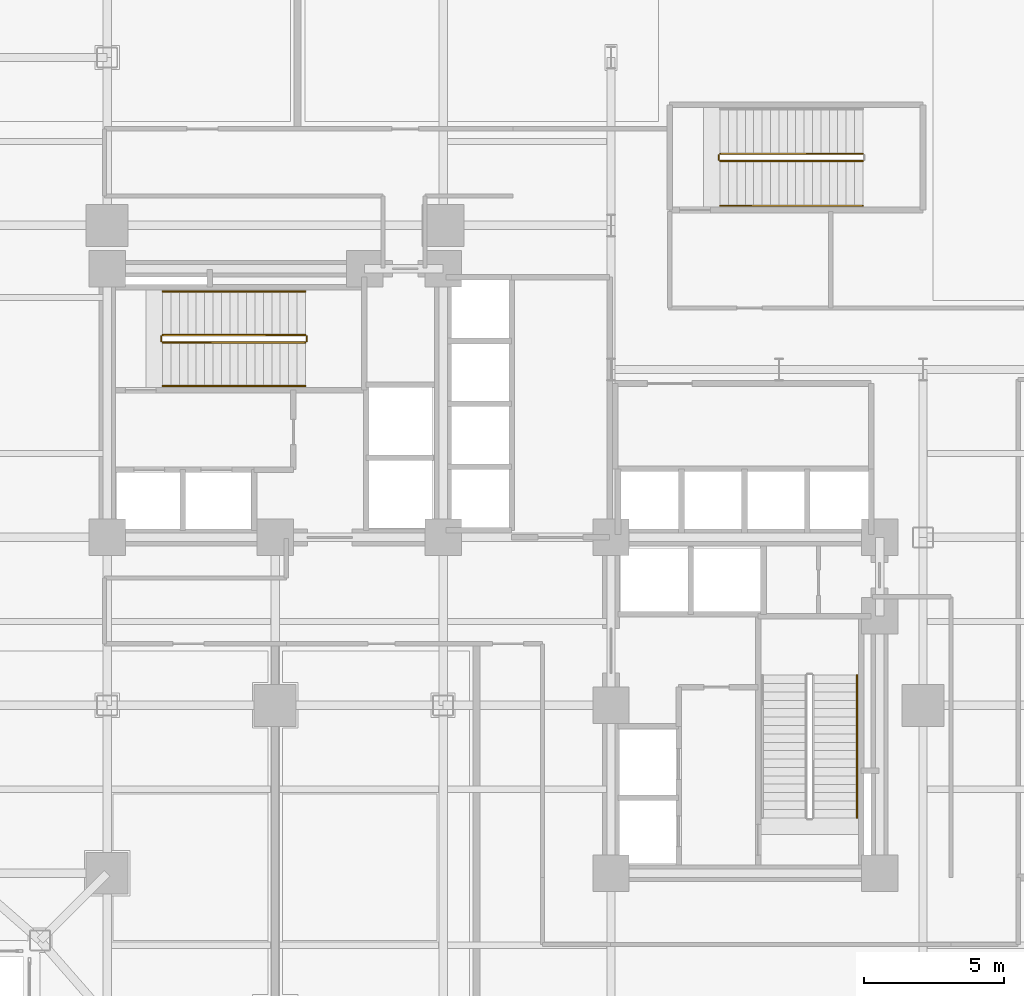
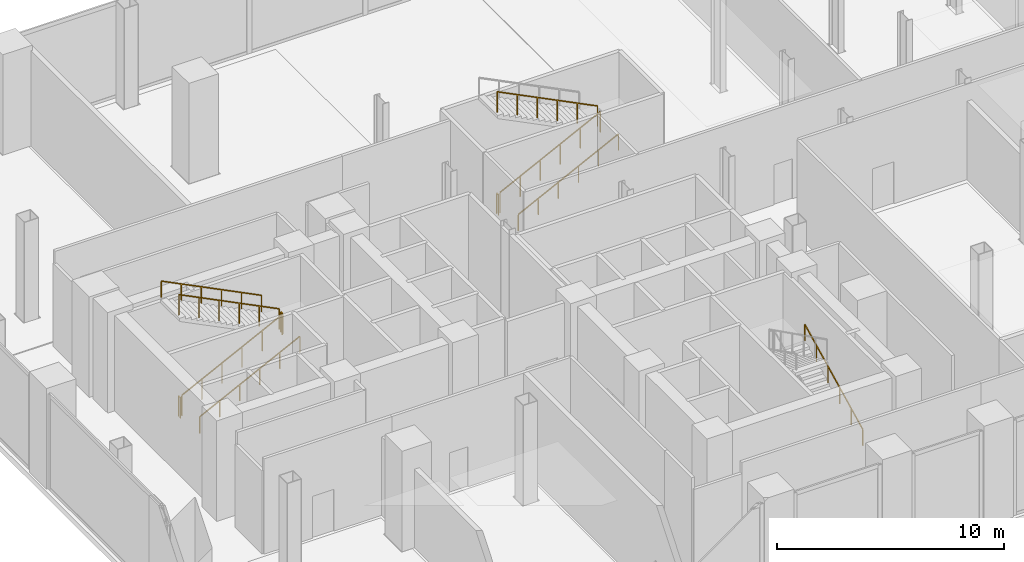
# One storey, part 25 of 27: 11 railings.
"""IFC4 building model written with IfcOpenShell, lengths in metres."""

from ifc_helpers import new_model, si_unit, direction, frame, origin, origin_2d, place, context, subcontext, project, spatial, rectangle, extrude, material, type_object, element, save


model = new_model("IFC4")

# Units and contexts
model_context = context("Model", 3, precision=1e-05, world=origin(), true_north=direction((0.0, 1.0)))
body_context = subcontext(model_context, "Body", "Model", "MODEL_VIEW")
ifc_project = project(units=[si_unit("LENGTHUNIT", "METRE"), si_unit("AREAUNIT", "SQUARE_METRE"), si_unit("VOLUMEUNIT", "CUBIC_METRE"), si_unit("PLANEANGLEUNIT", "RADIAN"), si_unit("MASSUNIT", "GRAM", prefix="KILO"), si_unit("THERMODYNAMICTEMPERATUREUNIT", "KELVIN"), si_unit("POWERUNIT", "WATT")], contexts=[model_context])

# Site, building, storey
site_placement = place(None, origin())
site = spatial("IfcSite", under=ifc_project, at=site_placement, CompositionType="ELEMENT")
building_placement = place(site_placement, origin())
building = spatial("IfcBuilding", under=site, at=building_placement, Name="Svarakhadi Broadcast Tower", CompositionType="ELEMENT")
storey_placement = place(building_placement, frame((0.0, 0.0, 5.699951171875)))
storey = spatial("IfcBuildingStorey", under=building, at=storey_placement, Name="L01", CompositionType="ELEMENT", Elevation=5.699951171875)

# Railings
ifc_material = material(Name="Anodised Bronze Aluminium AA 6063-T6", Category="aluminium")
railing_type_1 = type_object("IfcRailingType", Name="Guard_Stair_GR01", PredefinedType="GUARDRAIL", material=ifc_material)
railing_1_placement = place(storey_placement, frame((7.97998046875, 24.969970703125, 0.150146484375)))
element("IfcRailing", 1, at=railing_1_placement, inside=storey, type_object=railing_type_1, Name="L01 ST-01 stair guard 1", PredefinedType="GUARDRAIL", context=body_context, shape_type="SweptSolid", body=[
    extrude(rectangle(XDim=0.048095703125, YDim=0.048095703125, at=origin_2d()), frame((0.0, 0.0, 1.09619140625), z_axis=(0.89444431709, 0.0, 0.44717934168), x_axis=(0.0, 1.0, 0.0)), (0.0, 0.0, 1.0), 5.701904296875),
    extrude(rectangle(XDim=0.0419921875, YDim=0.0419921875, at=origin_2d()), origin(), (0.0, 0.0, 1.0), 1.072021484375),
    extrude(rectangle(XDim=0.0419921875, YDim=0.0419921875, at=origin_2d()), frame((1.02001953125, 0.0, 0.510009765625)), (0.0, 0.0, 1.0), 1.072021484375),
    extrude(rectangle(XDim=0.0419921875, YDim=0.0419921875, at=origin_2d()), frame((2.0400390625, 0.0, 1.02001953125)), (0.0, 0.0, 1.0), 1.072021484375),
    extrude(rectangle(XDim=0.0419921875, YDim=0.0419921875, at=origin_2d()), frame((3.06005859375, 0.0, 1.52978515625)), (0.0, 0.0, 1.0), 1.072021484375),
    extrude(rectangle(XDim=0.0419921875, YDim=0.0419921875, at=origin_2d()), frame((4.080078125, 0.0, 2.039794921875)), (0.0, 0.0, 1.0), 1.072021484375),
    extrude(rectangle(XDim=0.0419921875, YDim=0.0419921875, at=origin_2d()), frame((5.10009765625, 0.0, 2.5498046875)), (0.0, 0.0, 1.0), 1.072021484375),
])
railing_2_placement = place(storey_placement, frame((13.1298828125, 25.02001953125, 2.699951171875)))
element("IfcRailing", 2, at=railing_2_placement, inside=storey, type_object=railing_type_1, Name="L01 ST-01 stair guard 2", PredefinedType="GUARDRAIL", context=body_context, shape_type="SweptSolid", body=[
    extrude(rectangle(XDim=0.048095703125, YDim=0.048095703125, at=origin_2d()), frame((0.0, 0.0, 1.09619140625), z_axis=(0.0, 1.0, 0.0), x_axis=(-1.0, 0.0, 0.0)), (0.0, 0.0, 1.0), 0.159912109375),
    extrude(rectangle(XDim=0.0419921875, YDim=0.0419921875, at=origin_2d()), origin(), (0.0, 0.0, 1.0), 1.072021484375),
    extrude(rectangle(XDim=0.0419921875, YDim=0.0419921875, at=origin_2d()), frame((0.0, 0.159912109375, 0.0)), (0.0, 0.0, 1.0), 1.072021484375),
])
railing_3_placement = place(storey_placement, frame((13.080078125, 25.22998046875, 2.85009765625)))
element("IfcRailing", 3, at=railing_3_placement, inside=storey, type_object=railing_type_1, Name="L01 ST-01 stair guard 3", PredefinedType="GUARDRAIL", context=body_context, shape_type="SweptSolid", body=[
    extrude(rectangle(XDim=0.048095703125, YDim=0.048095703125, at=origin_2d()), frame((0.0, 0.0, 1.09619140625), z_axis=(-0.894427191, 0.0, 0.4472135955), x_axis=(0.0, -1.0, 0.0)), (0.0, 0.0, 1.0), 5.7021484375),
    extrude(rectangle(XDim=0.0419921875, YDim=0.0419921875, at=origin_2d()), origin(), (0.0, 0.0, 1.0), 1.072021484375),
    extrude(rectangle(XDim=0.0419921875, YDim=0.0419921875, at=origin_2d()), frame((-1.02001953125, 0.0, 0.510009765625)), (0.0, 0.0, 1.0), 1.072021484375),
    extrude(rectangle(XDim=0.0419921875, YDim=0.0419921875, at=origin_2d()), frame((-2.0400390625, 0.0, 1.02001953125)), (0.0, 0.0, 1.0), 1.072021484375),
    extrude(rectangle(XDim=0.0419921875, YDim=0.0419921875, at=origin_2d()), frame((-3.06005859375, 0.0, 1.530029296875)), (0.0, 0.0, 1.0), 1.072021484375),
    extrude(rectangle(XDim=0.0419921875, YDim=0.0419921875, at=origin_2d()), frame((-4.080078125, 0.0, 2.0400390625)), (0.0, 0.0, 1.0), 1.072021484375),
    extrude(rectangle(XDim=0.0419921875, YDim=0.0419921875, at=origin_2d()), frame((-5.10009765625, 0.0, 2.550048828125)), (0.0, 0.0, 1.0), 1.072021484375),
])
railing_4_placement = place(storey_placement, frame((7.929931640625, 25.02001953125, 0.0)))
element("IfcRailing", 4, at=railing_4_placement, inside=storey, type_object=railing_type_1, Name="L01 ST-01 stair guard 4", PredefinedType="GUARDRAIL", context=body_context, shape_type="SweptSolid", body=[
    extrude(rectangle(XDim=0.048095703125, YDim=0.048095703125, at=origin_2d()), frame((0.0, 0.0, 1.09619140625), z_axis=(0.0, 1.0, 0.0), x_axis=(-1.0, 0.0, 0.0)), (0.0, 0.0, 1.0), 0.159912109375),
    extrude(rectangle(XDim=0.0419921875, YDim=0.0419921875, at=origin_2d()), origin(), (0.0, 0.0, 1.0), 1.072021484375),
    extrude(rectangle(XDim=0.0419921875, YDim=0.0419921875, at=origin_2d()), frame((0.0, 0.159912109375, 0.0)), (0.0, 0.0, 1.0), 1.072021484375),
])
railing_5_placement = place(storey_placement, frame((27.89990234375, 31.449951171875, 0.150146484375)))
element("IfcRailing", 5, at=railing_5_placement, inside=storey, type_object=railing_type_1, Name="L01 ST-03 stair guard 1", PredefinedType="GUARDRAIL", context=body_context, shape_type="SweptSolid", body=[
    extrude(rectangle(XDim=0.048095703125, YDim=0.048095703125, at=origin_2d()), frame((0.0, 0.0, 1.09619140625), z_axis=(0.89444431709, 0.0, 0.44717934168), x_axis=(0.0, 1.0, 0.0)), (0.0, 0.0, 1.0), 5.701904296875),
    extrude(rectangle(XDim=0.0419921875, YDim=0.0419921875, at=origin_2d()), origin(), (0.0, 0.0, 1.0), 1.072021484375),
    extrude(rectangle(XDim=0.0419921875, YDim=0.0419921875, at=origin_2d()), frame((1.02001953125, 0.0, 0.510009765625)), (0.0, 0.0, 1.0), 1.072021484375),
    extrude(rectangle(XDim=0.0419921875, YDim=0.0419921875, at=origin_2d()), frame((2.0400390625, 0.0, 1.02001953125)), (0.0, 0.0, 1.0), 1.072021484375),
    extrude(rectangle(XDim=0.0419921875, YDim=0.0419921875, at=origin_2d()), frame((3.06005859375, 0.0, 1.52978515625)), (0.0, 0.0, 1.0), 1.072021484375),
    extrude(rectangle(XDim=0.0419921875, YDim=0.0419921875, at=origin_2d()), frame((4.080078125, 0.0, 2.039794921875)), (0.0, 0.0, 1.0), 1.072021484375),
    extrude(rectangle(XDim=0.0419921875, YDim=0.0419921875, at=origin_2d()), frame((5.10009765625, 0.0, 2.5498046875)), (0.0, 0.0, 1.0), 1.072021484375),
])
railing_6_placement = place(storey_placement, frame((33.0, 31.7099609375, 2.85009765625)))
element("IfcRailing", 6, at=railing_6_placement, inside=storey, type_object=railing_type_1, Name="L01 ST-03 stair guard 3", PredefinedType="GUARDRAIL", context=body_context, shape_type="SweptSolid", body=[
    extrude(rectangle(XDim=0.048095703125, YDim=0.048095703125, at=origin_2d()), frame((0.0, 0.0, 1.09619140625), z_axis=(-0.894427191, 0.0, 0.4472135955), x_axis=(0.0, -1.0, 0.0)), (0.0, 0.0, 1.0), 5.7021484375),
    extrude(rectangle(XDim=0.0419921875, YDim=0.0419921875, at=origin_2d()), origin(), (0.0, 0.0, 1.0), 1.072021484375),
    extrude(rectangle(XDim=0.0419921875, YDim=0.0419921875, at=origin_2d()), frame((-1.02001953125, 0.0, 0.510009765625)), (0.0, 0.0, 1.0), 1.072021484375),
    extrude(rectangle(XDim=0.0419921875, YDim=0.0419921875, at=origin_2d()), frame((-2.0400390625, 0.0, 1.02001953125)), (0.0, 0.0, 1.0), 1.072021484375),
    extrude(rectangle(XDim=0.0419921875, YDim=0.0419921875, at=origin_2d()), frame((-3.06005859375, 0.0, 1.530029296875)), (0.0, 0.0, 1.0), 1.072021484375),
    extrude(rectangle(XDim=0.0419921875, YDim=0.0419921875, at=origin_2d()), frame((-4.080078125, 0.0, 2.0400390625)), (0.0, 0.0, 1.0), 1.072021484375),
    extrude(rectangle(XDim=0.0419921875, YDim=0.0419921875, at=origin_2d()), frame((-5.10009765625, 0.0, 2.550048828125)), (0.0, 0.0, 1.0), 1.072021484375),
])
railing_7_placement = place(storey_placement, frame((27.85009765625, 31.5, 0.0)))
element("IfcRailing", 7, at=railing_7_placement, inside=storey, type_object=railing_type_1, Name="L01 ST-03 stair guard 4", PredefinedType="GUARDRAIL", context=body_context, shape_type="SweptSolid", body=[
    extrude(rectangle(XDim=0.048095703125, YDim=0.048095703125, at=origin_2d()), frame((0.0, 0.0, 1.09619140625), z_axis=(0.0, 1.0, 0.0), x_axis=(-1.0, 0.0, 0.0)), (0.0, 0.0, 1.0), 0.159912109375),
    extrude(rectangle(XDim=0.0419921875, YDim=0.0419921875, at=origin_2d()), origin(), (0.0, 0.0, 1.0), 1.072021484375),
    extrude(rectangle(XDim=0.0419921875, YDim=0.0419921875, at=origin_2d()), frame((0.0, 0.159912109375, 0.0)), (0.0, 0.0, 1.0), 1.072021484375),
])
railing_type_2 = type_object("IfcRailingType", Name="Handrail_Stair_HR01", PredefinedType="HANDRAIL", material=ifc_material)
railing_8_placement = place(storey_placement, frame((7.97998046875, 23.409912109375, 0.150146484375)))
element("IfcRailing", 8, at=railing_8_placement, inside=storey, type_object=railing_type_2, Name="L01 ST-01 stair handrail 1", PredefinedType="HANDRAIL", context=body_context, shape_type="SweptSolid", body=[
    extrude(rectangle(XDim=0.048095703125, YDim=0.048095703125, at=origin_2d()), frame((0.0, 0.0, 0.8759765625), z_axis=(0.89444431709, 0.0, 0.44717934168), x_axis=(0.0, 1.0, 0.0)), (0.0, 0.0, 1.0), 5.701904296875),
    extrude(rectangle(XDim=0.0419921875, YDim=0.0419921875, at=origin_2d()), origin(), (0.0, 0.0, 1.0), 0.851806640625),
    extrude(rectangle(XDim=0.0419921875, YDim=0.0419921875, at=origin_2d()), frame((1.02001953125, 0.0, 0.510009765625)), (0.0, 0.0, 1.0), 0.851806640625),
    extrude(rectangle(XDim=0.0419921875, YDim=0.0419921875, at=origin_2d()), frame((2.0400390625, 0.0, 1.02001953125)), (0.0, 0.0, 1.0), 0.851806640625),
    extrude(rectangle(XDim=0.0419921875, YDim=0.0419921875, at=origin_2d()), frame((3.06005859375, 0.0, 1.52978515625)), (0.0, 0.0, 1.0), 0.851806640625),
    extrude(rectangle(XDim=0.0419921875, YDim=0.0419921875, at=origin_2d()), frame((4.080078125, 0.0, 2.039794921875)), (0.0, 0.0, 1.0), 0.851806640625),
    extrude(rectangle(XDim=0.0419921875, YDim=0.0419921875, at=origin_2d()), frame((5.10009765625, 0.0, 2.5498046875)), (0.0, 0.0, 1.0), 0.851806640625),
])
railing_9_placement = place(storey_placement, frame((13.080078125, 26.7900390625, 2.85009765625)))
element("IfcRailing", 9, at=railing_9_placement, inside=storey, type_object=railing_type_2, Name="L01 ST-01 stair handrail 2", PredefinedType="HANDRAIL", context=body_context, shape_type="SweptSolid", body=[
    extrude(rectangle(XDim=0.048095703125, YDim=0.048095703125, at=origin_2d()), frame((0.0, 0.0, 0.8759765625), z_axis=(-0.894427191, 0.0, 0.4472135955), x_axis=(0.0, -1.0, 0.0)), (0.0, 0.0, 1.0), 5.7021484375),
    extrude(rectangle(XDim=0.0419921875, YDim=0.0419921875, at=origin_2d()), origin(), (0.0, 0.0, 1.0), 0.851806640625),
    extrude(rectangle(XDim=0.0419921875, YDim=0.0419921875, at=origin_2d()), frame((-1.02001953125, 0.0, 0.510009765625)), (0.0, 0.0, 1.0), 0.851806640625),
    extrude(rectangle(XDim=0.0419921875, YDim=0.0419921875, at=origin_2d()), frame((-2.0400390625, 0.0, 1.02001953125)), (0.0, 0.0, 1.0), 0.851806640625),
    extrude(rectangle(XDim=0.0419921875, YDim=0.0419921875, at=origin_2d()), frame((-3.06005859375, 0.0, 1.530029296875)), (0.0, 0.0, 1.0), 0.851806640625),
    extrude(rectangle(XDim=0.0419921875, YDim=0.0419921875, at=origin_2d()), frame((-4.080078125, 0.0, 2.0400390625)), (0.0, 0.0, 1.0), 0.851806640625),
    extrude(rectangle(XDim=0.0419921875, YDim=0.0419921875, at=origin_2d()), frame((-5.10009765625, 0.0, 2.550048828125)), (0.0, 0.0, 1.0), 0.851806640625),
])
railing_10_placement = place(storey_placement, frame((32.7900390625, 7.97998046875, 0.150146484375)))
element("IfcRailing", 10, at=railing_10_placement, inside=storey, type_object=railing_type_2, Name="L01 ST-02 stair handrail 1", PredefinedType="HANDRAIL", context=body_context, shape_type="SweptSolid", body=[
    extrude(rectangle(XDim=0.048095703125, YDim=0.048095703125, at=origin_2d()), frame((0.0, 0.0, 0.8759765625), z_axis=(0.0, 0.89444431709, 0.44717934168), x_axis=(-1.0, 0.0, 0.0)), (0.0, 0.0, 1.0), 5.701904296875),
    extrude(rectangle(XDim=0.0419921875, YDim=0.0419921875, at=origin_2d()), origin(), (0.0, 0.0, 1.0), 0.851806640625),
    extrude(rectangle(XDim=0.0419921875, YDim=0.0419921875, at=origin_2d()), frame((0.0, 1.02001953125, 0.510009765625)), (0.0, 0.0, 1.0), 0.851806640625),
    extrude(rectangle(XDim=0.0419921875, YDim=0.0419921875, at=origin_2d()), frame((0.0, 2.0400390625, 1.02001953125)), (0.0, 0.0, 1.0), 0.851806640625),
    extrude(rectangle(XDim=0.0419921875, YDim=0.0419921875, at=origin_2d()), frame((0.0, 3.06005859375, 1.52978515625)), (0.0, 0.0, 1.0), 0.851806640625),
    extrude(rectangle(XDim=0.0419921875, YDim=0.0419921875, at=origin_2d()), frame((0.0, 4.080078125, 2.039794921875)), (0.0, 0.0, 1.0), 0.851806640625),
    extrude(rectangle(XDim=0.0419921875, YDim=0.0419921875, at=origin_2d()), frame((0.0, 5.10009765625, 2.5498046875)), (0.0, 0.0, 1.0), 0.851806640625),
])
railing_11_placement = place(storey_placement, frame((27.89990234375, 29.85009765625, 0.150146484375)))
element("IfcRailing", 11, at=railing_11_placement, inside=storey, type_object=railing_type_2, Name="L01 ST-03 stair handrail 1", PredefinedType="HANDRAIL", context=body_context, shape_type="SweptSolid", body=[
    extrude(rectangle(XDim=0.048095703125, YDim=0.048095703125, at=origin_2d()), frame((0.0, 0.0, 0.8759765625), z_axis=(0.89444431709, 0.0, 0.44717934168), x_axis=(0.0, 1.0, 0.0)), (0.0, 0.0, 1.0), 5.701904296875),
    extrude(rectangle(XDim=0.0419921875, YDim=0.0419921875, at=origin_2d()), origin(), (0.0, 0.0, 1.0), 0.851806640625),
    extrude(rectangle(XDim=0.0419921875, YDim=0.0419921875, at=origin_2d()), frame((1.02001953125, 0.0, 0.510009765625)), (0.0, 0.0, 1.0), 0.851806640625),
    extrude(rectangle(XDim=0.0419921875, YDim=0.0419921875, at=origin_2d()), frame((2.0400390625, 0.0, 1.02001953125)), (0.0, 0.0, 1.0), 0.851806640625),
    extrude(rectangle(XDim=0.0419921875, YDim=0.0419921875, at=origin_2d()), frame((3.06005859375, 0.0, 1.52978515625)), (0.0, 0.0, 1.0), 0.851806640625),
    extrude(rectangle(XDim=0.0419921875, YDim=0.0419921875, at=origin_2d()), frame((4.080078125, 0.0, 2.039794921875)), (0.0, 0.0, 1.0), 0.851806640625),
    extrude(rectangle(XDim=0.0419921875, YDim=0.0419921875, at=origin_2d()), frame((5.10009765625, 0.0, 2.5498046875)), (0.0, 0.0, 1.0), 0.851806640625),
])

save(model, "model.ifc")
